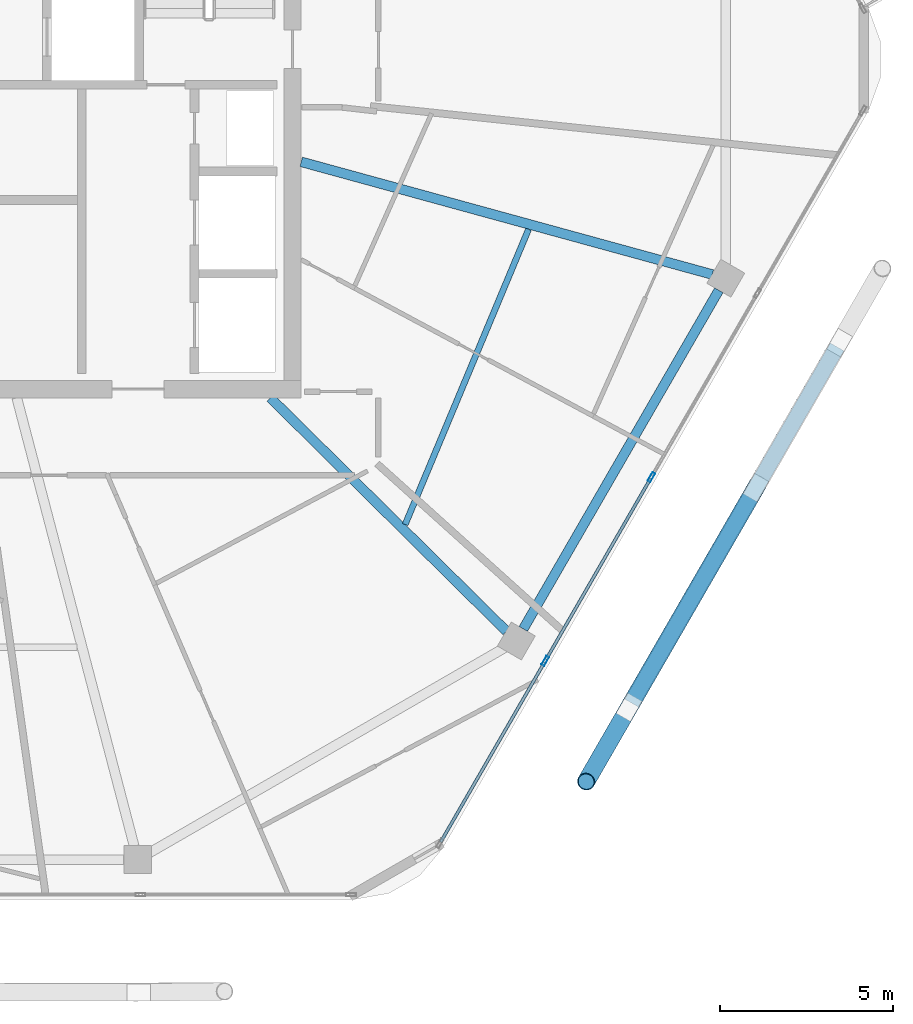
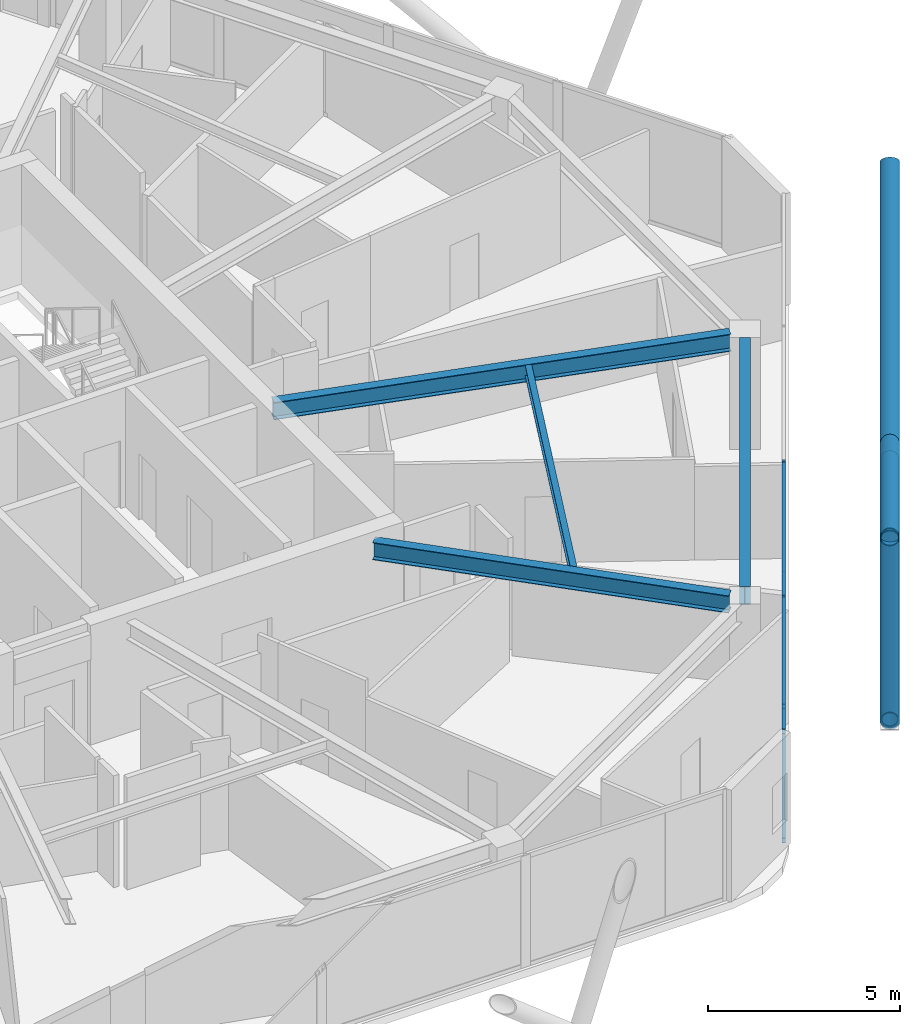
# One storey, part 8 of 24: 10 members, 4 beams, 1 element without a shape of its own.
"""IFC4 building model written with IfcOpenShell, lengths in metres."""

from ifc_helpers import new_model, si_unit, direction, frame, origin, origin_2d, place, context, subcontext, project, spatial, hollow_rectangle, hollow_circle, i_section, extrude, material, material_profile, profile_set, type_object, element, aggregate, save


model = new_model("IFC4")

# Units and contexts
model_context = context("Model", 3, precision=1e-05, world=origin(), true_north=direction((0.0, 1.0)))
body_context = subcontext(model_context, "Body", "Model", "MODEL_VIEW")
ifc_project = project(units=[si_unit("LENGTHUNIT", "METRE"), si_unit("AREAUNIT", "SQUARE_METRE"), si_unit("VOLUMEUNIT", "CUBIC_METRE"), si_unit("PLANEANGLEUNIT", "RADIAN"), si_unit("MASSUNIT", "GRAM", prefix="KILO")], contexts=[model_context])

# Site, building, storey
site_placement = place(None, origin())
site = spatial("IfcSite", under=ifc_project, at=site_placement, CompositionType="ELEMENT")
building_placement = place(site_placement, origin())
building = spatial("IfcBuilding", under=site, at=building_placement, Name="Zuhravey Tower", CompositionType="ELEMENT")
storey_placement = place(building_placement, frame((0.0, 0.0, 308.199951171875)))
storey = spatial("IfcBuildingStorey", under=building, at=storey_placement, Name="L78", CompositionType="ELEMENT", Elevation=308.199951171875)

# Curtain wall, members
ifc_material_1 = material(Name="Thermally broken anodised aluminium", Category="aluminium")
curtain_wall_type = type_object("IfcCurtainWallType", Name="Zone 3-4 High-Rise Curtain Wall CW4", PredefinedType="NOTDEFINED", material=ifc_material_1)
curtain_wall_placement = place(storey_placement, origin())
curtain_wall = element("IfcCurtainWall", 1, at=curtain_wall_placement, inside=storey, type_object=curtain_wall_type, Name="L78 CW4 CW-L78-F6-1", PredefinedType="NOTDEFINED")
ifc_material_2 = material(Name="Anodised aluminium", Category="aluminium")
ifc_material_profile_1 = material_profile(ifc_material_2, hollow_rectangle(XDim=0.090087890625, YDim=0.284912109375, WallThickness=0.0048828125, at=origin_2d()), Name="ALU-RHS-90x285x5")
ifc_profile_set_1 = profile_set([ifc_material_profile_1], Name="Anodised aluminium")
member_type_1 = type_object("IfcMemberType", Name="Curtain-Wall Mullion 90x180", PredefinedType="MULLION", material=ifc_profile_set_1)
member_1_placement = place(storey_placement, frame((56.8486328125, 19.962890625, 0.0), z_axis=(0.0, 0.0, 1.0), x_axis=(0.866025511541, -0.49999981336, 0.0)))
member_1 = element("IfcMember", 2, at=member_1_placement, type_object=member_type_1, Name="CW4 mullion 3", PredefinedType="MULLION", context=body_context, shape_type="SweptSolid", body=[
    extrude(hollow_rectangle(XDim=0.090087890625, YDim=0.284912109375, WallThickness=0.0048828125, at=origin_2d()), origin(), (0.0, 0.0, 1.0), 3.550048828125),
])
member_2_placement = place(storey_placement, frame((53.788818359375, 14.6630859375, 0.0), z_axis=(0.0, 0.0, 1.0), x_axis=(0.866025511541, -0.49999981336, 0.0)))
member_2 = element("IfcMember", 3, at=member_2_placement, type_object=member_type_1, Name="CW4 mullion 4", PredefinedType="MULLION", context=body_context, shape_type="SweptSolid", body=[
    extrude(hollow_rectangle(XDim=0.090087890625, YDim=0.284912109375, WallThickness=0.0048828125, at=origin_2d()), origin(), (0.0, 0.0, 1.0), 3.550048828125),
])
ifc_material_profile_2 = material_profile(ifc_material_2, hollow_rectangle(XDim=0.090087890625, YDim=0.14990234375, WallThickness=0.0048828125, at=origin_2d()), Name="ALU-RHS-90x150x5")
ifc_profile_set_2 = profile_set([ifc_material_profile_2], Name="Anodised aluminium")
member_type_2 = type_object("IfcMemberType", Name="Curtain-Wall Transom 90x150", PredefinedType="USERDEFINED", material=ifc_profile_set_2)
member_3_placement = place(storey_placement, frame((56.826171875, 19.924072265625, 0.045166015625), z_axis=(-0.499971305196, -0.866041970103, 0.0), x_axis=(0.866041970103, -0.499971305196, 0.0)))
member_3 = element("IfcMember", 4, at=member_3_placement, type_object=member_type_2, Name="CW4 transom 3.1", ObjectType="TRANSOM", PredefinedType="USERDEFINED", context=body_context, shape_type="SweptSolid", body=[
    extrude(hollow_rectangle(XDim=0.090087890625, YDim=0.14990234375, WallThickness=0.0048828125, at=origin_2d()), origin(), (0.0, 0.0, 1.0), 6.029541015625),
])
member_4_placement = place(storey_placement, frame((56.826171875, 19.924072265625, 3.505126953125), z_axis=(-0.499971305196, -0.866041970103, 0.0), x_axis=(0.866041970103, -0.499971305196, 0.0)))
member_4 = element("IfcMember", 5, at=member_4_placement, type_object=member_type_2, Name="CW4 transom 3.2", ObjectType="TRANSOM", PredefinedType="USERDEFINED", context=body_context, shape_type="SweptSolid", body=[
    extrude(hollow_rectangle(XDim=0.090087890625, YDim=0.14990234375, WallThickness=0.0048828125, at=origin_2d()), origin(), (0.0, 0.0, 1.0), 6.029541015625),
])
member_5_placement = place(storey_placement, frame((53.766357421875, 14.624267578125, 0.045166015625), z_axis=(-0.499982594807, -0.866035452444, 0.0), x_axis=(0.866035452444, -0.499982594807, 0.0)))
member_5 = element("IfcMember", 6, at=member_5_placement, type_object=member_type_2, Name="CW4 transom 4.1", ObjectType="TRANSOM", PredefinedType="USERDEFINED", context=body_context, shape_type="SweptSolid", body=[
    extrude(hollow_rectangle(XDim=0.090087890625, YDim=0.14990234375, WallThickness=0.0048828125, at=origin_2d()), origin(), (0.0, 0.0, 1.0), 5.984619140625),
])
member_6_placement = place(storey_placement, frame((53.766357421875, 14.624267578125, 3.505126953125), z_axis=(-0.499982594807, -0.866035452444, 0.0), x_axis=(0.866035452444, -0.499982594807, 0.0)))
member_6 = element("IfcMember", 7, at=member_6_placement, type_object=member_type_2, Name="CW4 transom 4.2", ObjectType="TRANSOM", PredefinedType="USERDEFINED", context=body_context, shape_type="SweptSolid", body=[
    extrude(hollow_rectangle(XDim=0.090087890625, YDim=0.14990234375, WallThickness=0.0048828125, at=origin_2d()), origin(), (0.0, 0.0, 1.0), 5.984619140625),
])
aggregate(curtain_wall, [member_1, member_2, member_3, member_4, member_5, member_6])

# Members
ifc_material_3 = material(Name="Steel SM355", Category="steel")
ifc_material_profile_3 = material_profile(ifc_material_3, hollow_circle(Radius=0.228515625, WallThickness=0.02197265625, at=origin_2d()), Name="CHS-457.2x22")
ifc_profile_set_3 = profile_set([ifc_material_profile_3], Name="Steel SM355")
member_type_3 = type_object("IfcMemberType", Name="Exoskeleton Ring Tie CHS457x22", PredefinedType="CHORD", material=ifc_profile_set_3)
member_7_placement = place(storey_placement, frame((56.275390625, 13.44970703125, -0.4638671875), z_axis=(0.499988670204, 0.866031944946, 0.0), x_axis=(-0.866031944946, 0.499988670204, 0.0)))
element("IfcMember", 8, at=member_7_placement, inside=storey, type_object=member_type_3, Name="L78 Exoskeleton Face 6 Tie EXR1", PredefinedType="CHORD", context=body_context, shape_type="SweptSolid", body=[
    extrude(hollow_circle(Radius=0.228515625, WallThickness=0.02197265625, at=origin_2d()), origin(), (0.0, 0.0, 1.0), 11.854736328125),
])
ifc_material_profile_4 = material_profile(ifc_material_3, hollow_circle(Radius=0.25390625, WallThickness=0.02490234375, at=origin_2d()), Name="CHS-508.0x25")
ifc_profile_set_4 = profile_set([ifc_material_profile_4], Name="Steel SM355")
member_type_4 = type_object("IfcMemberType", Name="Exoskeleton Zone 4 Diagrid CHS508x25", PredefinedType="BRACE", material=ifc_profile_set_4)
member_8_placement = place(storey_placement, frame((56.20263671875, 13.323974609375, -0.447998046875), z_axis=(-0.155226445416, -0.268871093126, 0.950585654176), x_axis=(0.866034263809, -0.499984653673, 0.0)))
element("IfcMember", 9, at=member_8_placement, inside=storey, type_object=member_type_4, Name="L78 Face 6 Diagrid Brace 1", PredefinedType="BRACE", context=body_context, shape_type="SweptSolid", body=[
    extrude(hollow_circle(Radius=0.25390625, WallThickness=0.02490234375, at=origin_2d()), origin(), (0.0, 0.0, 1.0), 7.96142578125),
])
member_9_placement = place(storey_placement, frame((56.220703125, 13.35498046875, -0.447998046875), z_axis=(0.443609006774, 0.768372647113, 0.461318246201), x_axis=(-0.866030844425, 0.499990576415, 0.0)))
element("IfcMember", 10, at=member_9_placement, inside=storey, type_object=member_type_4, Name="L78 Face 6 Diagrid Brace 2", PredefinedType="BRACE", context=body_context, shape_type="SweptSolid", body=[
    extrude(hollow_circle(Radius=0.25390625, WallThickness=0.02490234375, at=origin_2d()), origin(), (0.0, 0.0, 1.0), 16.405517578125),
])
member_10_placement = place(storey_placement, frame((59.745849609375, 19.460693359375, 3.42431640625), z_axis=(-0.466120096099, -0.80734608376, 0.36183470957), x_axis=(0.866026046022, -0.49999888761, 0.0)))
element("IfcMember", 11, at=member_10_placement, inside=storey, type_object=member_type_4, Name="L78 Face 6 Split Diagrid Brace 3B", PredefinedType="BRACE", context=body_context, shape_type="SweptSolid", body=[
    extrude(hollow_circle(Radius=0.25390625, WallThickness=0.02490234375, at=origin_2d()), origin(), (0.0, 0.0, 1.0), 10.223388671875),
])

# Beams
ifc_material_profile_5 = material_profile(ifc_material_3, i_section(OverallWidth=0.280029296875, OverallDepth=0.580078125, WebThickness=0.011962890625, FlangeThickness=0.01904296875, at=origin_2d()), Name="H-580x280x12x19")
ifc_profile_set_5 = profile_set([ifc_material_profile_5], Name="Steel SM355")
beam_type_1 = type_object("IfcBeamType", Name="Perimeter Ring Beam H580x280", PredefinedType="BEAM", material=ifc_profile_set_5)
beam_1_placement = place(storey_placement, frame((53.15625, 15.58740234375, 3.260009765625), z_axis=(0.500006198144, 0.866021825255, 0.0), x_axis=(-0.866021825255, 0.500006198144, 0.0)))
element("IfcBeam", 12, at=beam_1_placement, inside=storey, type_object=beam_type_1, Name="L78 PB4 BM-L78-PB-11", PredefinedType="BEAM", context=body_context, shape_type="SweptSolid", body=[
    extrude(i_section(OverallWidth=0.280029296875, OverallDepth=0.580078125, WebThickness=0.011962890625, FlangeThickness=0.01904296875, at=origin_2d()), origin(), (0.0, 0.0, 1.0), 11.271240234375),
])
ifc_material_profile_6 = material_profile(ifc_material_3, i_section(OverallWidth=0.280029296875, OverallDepth=0.550048828125, WebThickness=0.010986328125, FlangeThickness=0.01806640625, at=origin_2d()), Name="H-550x280x11x18")
ifc_profile_set_6 = profile_set([ifc_material_profile_6], Name="Steel SM355")
beam_type_2 = type_object("IfcBeamType", Name="Radial Primary Girder H550x280", PredefinedType="BEAM", material=ifc_profile_set_6)
beam_2_placement = place(storey_placement, frame((45.865234375, 22.2470703125, 3.275146484375), z_axis=(0.711153035666, -0.703037239314, 0.0), x_axis=(0.703037239314, 0.711153035666, 0.0)))
element("IfcBeam", 13, at=beam_2_placement, inside=storey, type_object=beam_type_2, Name="L78 RG4 BM-L78-RAD-11", PredefinedType="BEAM", context=body_context, shape_type="SweptSolid", body=[
    extrude(i_section(OverallWidth=0.280029296875, OverallDepth=0.550048828125, WebThickness=0.010986328125, FlangeThickness=0.01806640625, at=origin_2d()), origin(), (0.0, 0.0, 1.0), 9.566162109375),
])
beam_3_placement = place(storey_placement, frame((46.7529296875, 29.052734375, 3.275146484375), z_axis=(0.964427903067, -0.264346022829, 0.0), x_axis=(0.264346022829, 0.964427903067, 0.0)))
element("IfcBeam", 14, at=beam_3_placement, inside=storey, type_object=beam_type_2, Name="L78 RG4 BM-L78-RAD-12", PredefinedType="BEAM", context=body_context, shape_type="SweptSolid", body=[
    extrude(i_section(OverallWidth=0.280029296875, OverallDepth=0.550048828125, WebThickness=0.010986328125, FlangeThickness=0.01806640625, at=origin_2d()), origin(), (0.0, 0.0, 1.0), 12.2890625),
])
ifc_material_profile_7 = material_profile(ifc_material_3, i_section(OverallWidth=0.175048828125, OverallDepth=0.35009765625, WebThickness=0.007080078125, FlangeThickness=0.010986328125, at=origin_2d()), Name="H-350x175x7x11")
ifc_profile_set_7 = profile_set([ifc_material_profile_7], Name="Steel SM355")
beam_type_3 = type_object("IfcBeamType", Name="Secondary Floor Joist H350x175", PredefinedType="JOIST", material=ifc_profile_set_7)
beam_4_placement = place(storey_placement, frame((49.7490234375, 18.59521484375, 3.375), z_axis=(0.385657891576, 0.922641853953, 0.0), x_axis=(-0.922641853953, 0.385657891576, 0.0)))
element("IfcBeam", 15, at=beam_4_placement, inside=storey, type_object=beam_type_3, Name="L78 SJ3 BM-L78-SJ-11-1", PredefinedType="JOIST", context=body_context, shape_type="SweptSolid", body=[
    extrude(i_section(OverallWidth=0.175048828125, OverallDepth=0.35009765625, WebThickness=0.007080078125, FlangeThickness=0.010986328125, at=origin_2d()), origin(), (0.0, 0.0, 1.0), 9.226806640625),
])

save(model, "model.ifc")
